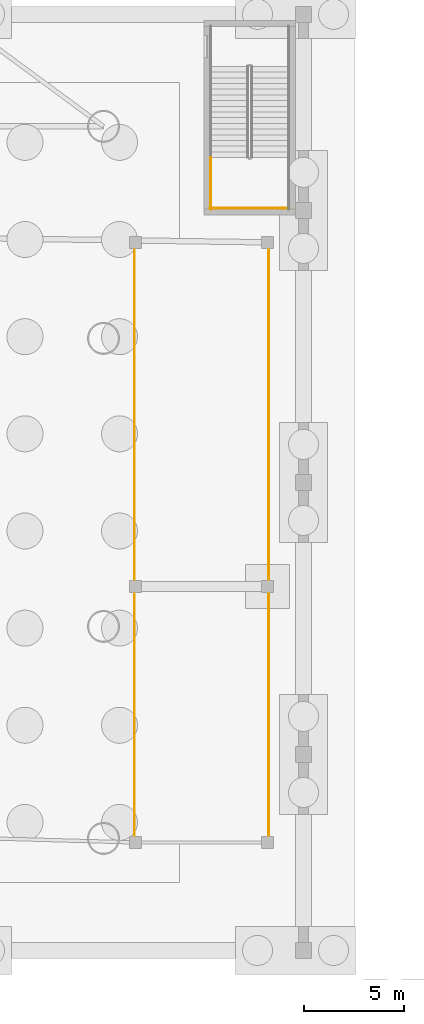
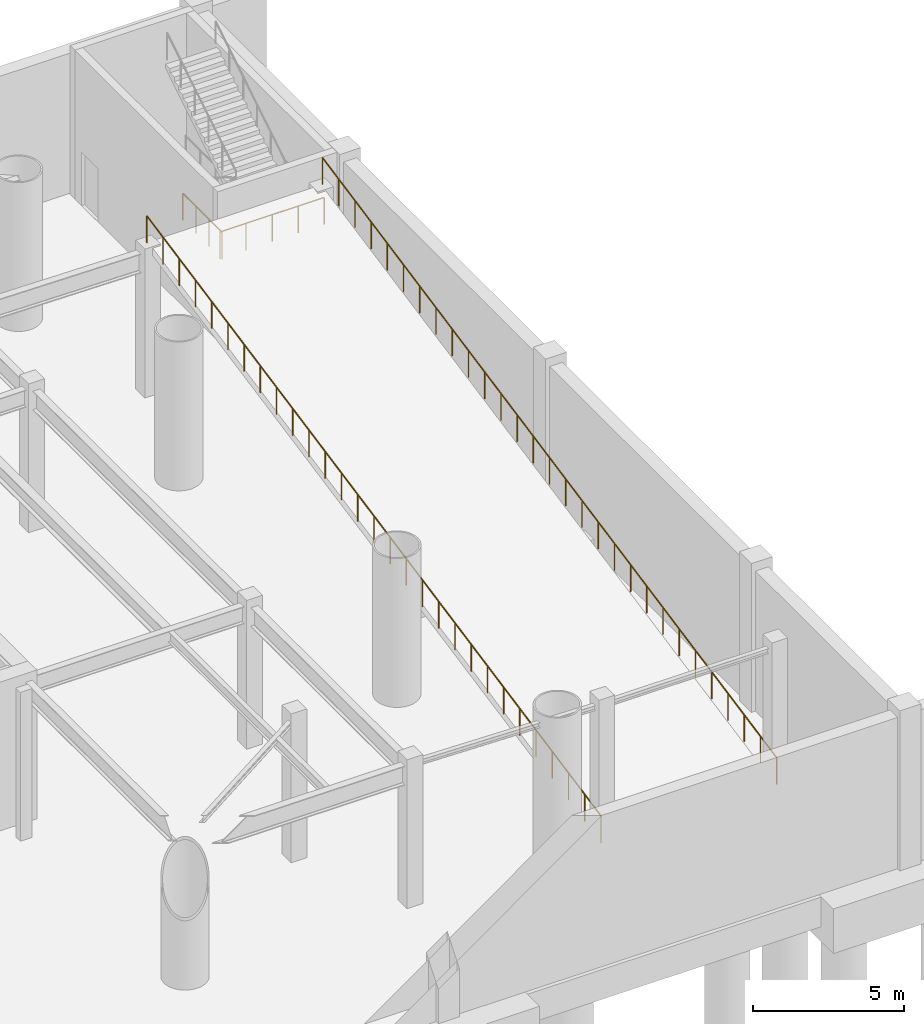
# One storey, part 10 of 12: 4 railings.
"""IFC4 building model written with IfcOpenShell, lengths in metres."""

from ifc_helpers import new_model, si_unit, direction, frame, origin, origin_2d, place, context, subcontext, project, spatial, circle, extrude, material, type_object, element, save


model = new_model("IFC4")

# Units and contexts
model_context = context("Model", 3, precision=1e-05, world=origin(), true_north=direction((0.0, 1.0)))
body_context = subcontext(model_context, "Body", "Model", "MODEL_VIEW")
ifc_project = project(units=[si_unit("LENGTHUNIT", "METRE"), si_unit("AREAUNIT", "SQUARE_METRE"), si_unit("VOLUMEUNIT", "CUBIC_METRE"), si_unit("PLANEANGLEUNIT", "RADIAN"), si_unit("MASSUNIT", "GRAM", prefix="KILO")], contexts=[model_context])

# Site, building, storey
site_placement = place(None, origin())
site = spatial("IfcSite", under=ifc_project, at=site_placement, CompositionType="ELEMENT")
building_placement = place(site_placement, origin())
building = spatial("IfcBuilding", under=site, at=building_placement, Name="Bramvorn Convention Spire", CompositionType="ELEMENT")
storey_placement = place(building_placement, frame((0.0, 0.0, -6.0)))
storey = spatial("IfcBuildingStorey", under=building, at=storey_placement, Name="B1", CompositionType="ELEMENT", Elevation=-6.0)

# Railings
ifc_material = material(Name="Painted Steel Balustrade & Guardrail", Category="steel")
railing_type = type_object("IfcRailingType", Name="RL-STAIR-GUARD-1100", PredefinedType="GUARDRAIL", material=ifc_material)
railing_1_placement = place(storey_placement, frame((68.570068359375, 42.239990234375, 3.0)))
element("IfcRailing", 1, at=railing_1_placement, inside=storey, type_object=railing_type, Name="B1 ST5 stair guard 3", PredefinedType="GUARDRAIL", context=body_context, shape_type="SweptSolid", body=[
    extrude(circle(Radius=0.02392578125, at=origin_2d()), frame((0.0, 0.0, 1.076171875), z_axis=(0.0, -1.0, 0.0), x_axis=(1.0, 0.0, 0.0)), (0.0, 0.0, 1.0), 2.590087890625),
    extrude(circle(Radius=0.02099609375, at=origin_2d()), origin(), (0.0, 0.0, 1.0), 1.052001953125),
    extrude(circle(Radius=0.02099609375, at=origin_2d()), frame((0.0, -0.86328125, 0.0)), (0.0, 0.0, 1.0), 1.052001953125),
    extrude(circle(Radius=0.02099609375, at=origin_2d()), frame((0.0, -1.726806640625, 0.0)), (0.0, 0.0, 1.0), 1.052001953125),
    extrude(circle(Radius=0.02099609375, at=origin_2d()), frame((0.0, -2.590087890625, 0.0)), (0.0, 0.0, 1.0), 1.052001953125),
])
railing_2_placement = place(storey_placement, frame((68.52001953125, 39.699951171875, 3.0)))
element("IfcRailing", 2, at=railing_2_placement, inside=storey, type_object=railing_type, Name="B1 ST5 stair guard 5", PredefinedType="GUARDRAIL", context=body_context, shape_type="SweptSolid", body=[
    extrude(circle(Radius=0.02392578125, at=origin_2d()), frame((0.0, 0.0, 1.076171875), z_axis=(1.0, 0.0, 0.0), x_axis=(0.0, 1.0, 0.0)), (0.0, 0.0, 1.0), 3.97998046875),
    extrude(circle(Radius=0.02099609375, at=origin_2d()), origin(), (0.0, 0.0, 1.0), 1.052001953125),
    extrude(circle(Radius=0.02099609375, at=origin_2d()), frame((0.9951171875, 0.0, 0.0)), (0.0, 0.0, 1.0), 1.052001953125),
    extrude(circle(Radius=0.02099609375, at=origin_2d()), frame((1.989990234375, 0.0, 0.0)), (0.0, 0.0, 1.0), 1.052001953125),
    extrude(circle(Radius=0.02099609375, at=origin_2d()), frame((2.98486328125, 0.0, 0.0)), (0.0, 0.0, 1.0), 1.052001953125),
    extrude(circle(Radius=0.02099609375, at=origin_2d()), frame((3.97998046875, 0.0, 0.0)), (0.0, 0.0, 1.0), 1.052001953125),
])
railing_3_placement = place(storey_placement, frame((64.75, 8.0, 0.0)))
element("IfcRailing", 3, at=railing_3_placement, inside=storey, type_object=railing_type, Name="Vehicle ramp west safety guardrail", PredefinedType="GUARDRAIL", context=body_context, shape_type="SweptSolid", body=[
    extrude(circle(Radius=0.02392578125, at=origin_2d()), frame((0.0, 0.0, 1.076171875), z_axis=(0.0, 0.980580675691, 0.196116135138), x_axis=(-1.0, 0.0, 0.0)), (0.0, 0.0, 1.0), 30.59423828125),
    extrude(circle(Radius=0.02099609375, at=origin_2d()), origin(), (0.0, 0.0, 1.0), 1.052001953125),
    extrude(circle(Radius=0.02099609375, at=origin_2d()), frame((0.0, 1.071533203125, 0.21435546875)), (0.0, 0.0, 1.0), 1.052001953125),
    extrude(circle(Radius=0.02099609375, at=origin_2d()), frame((0.0, 2.142822265625, 0.428466796875)), (0.0, 0.0, 1.0), 1.052001953125),
    extrude(circle(Radius=0.02099609375, at=origin_2d()), frame((0.0, 3.21435546875, 0.642822265625)), (0.0, 0.0, 1.0), 1.052001953125),
    extrude(circle(Radius=0.02099609375, at=origin_2d()), frame((0.0, 4.28564453125, 0.857177734375)), (0.0, 0.0, 1.0), 1.052001953125),
    extrude(circle(Radius=0.02099609375, at=origin_2d()), frame((0.0, 5.357177734375, 1.071533203125)), (0.0, 0.0, 1.0), 1.052001953125),
    extrude(circle(Radius=0.02099609375, at=origin_2d()), frame((0.0, 6.428466796875, 1.28564453125)), (0.0, 0.0, 1.0), 1.052001953125),
    extrude(circle(Radius=0.02099609375, at=origin_2d()), frame((0.0, 7.5, 1.5)), (0.0, 0.0, 1.0), 1.052001953125),
    extrude(circle(Radius=0.02099609375, at=origin_2d()), frame((0.0, 8.571533203125, 1.71435546875)), (0.0, 0.0, 1.0), 1.052001953125),
    extrude(circle(Radius=0.02099609375, at=origin_2d()), frame((0.0, 9.642822265625, 1.928466796875)), (0.0, 0.0, 1.0), 1.052001953125),
    extrude(circle(Radius=0.02099609375, at=origin_2d()), frame((0.0, 10.71435546875, 2.142822265625)), (0.0, 0.0, 1.0), 1.052001953125),
    extrude(circle(Radius=0.02099609375, at=origin_2d()), frame((0.0, 11.78564453125, 2.357177734375)), (0.0, 0.0, 1.0), 1.052001953125),
    extrude(circle(Radius=0.02099609375, at=origin_2d()), frame((0.0, 12.857177734375, 2.571533203125)), (0.0, 0.0, 1.0), 1.052001953125),
    extrude(circle(Radius=0.02099609375, at=origin_2d()), frame((0.0, 13.928466796875, 2.78564453125)), (0.0, 0.0, 1.0), 1.052001953125),
    extrude(circle(Radius=0.02099609375, at=origin_2d()), frame((0.0, 15.0, 3.0)), (0.0, 0.0, 1.0), 1.052001953125),
    extrude(circle(Radius=0.02099609375, at=origin_2d()), frame((0.0, 16.071533203125, 3.21435546875)), (0.0, 0.0, 1.0), 1.052001953125),
    extrude(circle(Radius=0.02099609375, at=origin_2d()), frame((0.0, 17.142822265625, 3.428466796875)), (0.0, 0.0, 1.0), 1.052001953125),
    extrude(circle(Radius=0.02099609375, at=origin_2d()), frame((0.0, 18.21435546875, 3.642822265625)), (0.0, 0.0, 1.0), 1.052001953125),
    extrude(circle(Radius=0.02099609375, at=origin_2d()), frame((0.0, 19.28564453125, 3.857177734375)), (0.0, 0.0, 1.0), 1.052001953125),
    extrude(circle(Radius=0.02099609375, at=origin_2d()), frame((0.0, 20.357177734375, 4.071533203125)), (0.0, 0.0, 1.0), 1.052001953125),
    extrude(circle(Radius=0.02099609375, at=origin_2d()), frame((0.0, 21.428466796875, 4.28564453125)), (0.0, 0.0, 1.0), 1.052001953125),
    extrude(circle(Radius=0.02099609375, at=origin_2d()), frame((0.0, 22.5, 4.5)), (0.0, 0.0, 1.0), 1.052001953125),
    extrude(circle(Radius=0.02099609375, at=origin_2d()), frame((0.0, 23.571533203125, 4.71435546875)), (0.0, 0.0, 1.0), 1.052001953125),
    extrude(circle(Radius=0.02099609375, at=origin_2d()), frame((0.0, 24.642822265625, 4.928466796875)), (0.0, 0.0, 1.0), 1.052001953125),
    extrude(circle(Radius=0.02099609375, at=origin_2d()), frame((0.0, 25.71435546875, 5.142822265625)), (0.0, 0.0, 1.0), 1.052001953125),
    extrude(circle(Radius=0.02099609375, at=origin_2d()), frame((0.0, 26.78564453125, 5.357177734375)), (0.0, 0.0, 1.0), 1.052001953125),
    extrude(circle(Radius=0.02099609375, at=origin_2d()), frame((0.0, 27.857177734375, 5.571533203125)), (0.0, 0.0, 1.0), 1.052001953125),
    extrude(circle(Radius=0.02099609375, at=origin_2d()), frame((0.0, 28.928466796875, 5.78564453125)), (0.0, 0.0, 1.0), 1.052001953125),
    extrude(circle(Radius=0.02099609375, at=origin_2d()), frame((0.0, 30.0, 6.0)), (0.0, 0.0, 1.0), 1.052001953125),
])
railing_4_placement = place(storey_placement, frame((71.449951171875, 8.0, 0.0)))
element("IfcRailing", 4, at=railing_4_placement, inside=storey, type_object=railing_type, Name="Vehicle ramp east safety guardrail", PredefinedType="GUARDRAIL", context=body_context, shape_type="SweptSolid", body=[
    extrude(circle(Radius=0.02392578125, at=origin_2d()), frame((0.0, 0.0, 1.076171875), z_axis=(0.0, 0.980580675691, 0.196116135138), x_axis=(-1.0, 0.0, 0.0)), (0.0, 0.0, 1.0), 30.59423828125),
    extrude(circle(Radius=0.02099609375, at=origin_2d()), origin(), (0.0, 0.0, 1.0), 1.052001953125),
    extrude(circle(Radius=0.02099609375, at=origin_2d()), frame((0.0, 1.071533203125, 0.21435546875)), (0.0, 0.0, 1.0), 1.052001953125),
    extrude(circle(Radius=0.02099609375, at=origin_2d()), frame((0.0, 2.142822265625, 0.428466796875)), (0.0, 0.0, 1.0), 1.052001953125),
    extrude(circle(Radius=0.02099609375, at=origin_2d()), frame((0.0, 3.21435546875, 0.642822265625)), (0.0, 0.0, 1.0), 1.052001953125),
    extrude(circle(Radius=0.02099609375, at=origin_2d()), frame((0.0, 4.28564453125, 0.857177734375)), (0.0, 0.0, 1.0), 1.052001953125),
    extrude(circle(Radius=0.02099609375, at=origin_2d()), frame((0.0, 5.357177734375, 1.071533203125)), (0.0, 0.0, 1.0), 1.052001953125),
    extrude(circle(Radius=0.02099609375, at=origin_2d()), frame((0.0, 6.428466796875, 1.28564453125)), (0.0, 0.0, 1.0), 1.052001953125),
    extrude(circle(Radius=0.02099609375, at=origin_2d()), frame((0.0, 7.5, 1.5)), (0.0, 0.0, 1.0), 1.052001953125),
    extrude(circle(Radius=0.02099609375, at=origin_2d()), frame((0.0, 8.571533203125, 1.71435546875)), (0.0, 0.0, 1.0), 1.052001953125),
    extrude(circle(Radius=0.02099609375, at=origin_2d()), frame((0.0, 9.642822265625, 1.928466796875)), (0.0, 0.0, 1.0), 1.052001953125),
    extrude(circle(Radius=0.02099609375, at=origin_2d()), frame((0.0, 10.71435546875, 2.142822265625)), (0.0, 0.0, 1.0), 1.052001953125),
    extrude(circle(Radius=0.02099609375, at=origin_2d()), frame((0.0, 11.78564453125, 2.357177734375)), (0.0, 0.0, 1.0), 1.052001953125),
    extrude(circle(Radius=0.02099609375, at=origin_2d()), frame((0.0, 12.857177734375, 2.571533203125)), (0.0, 0.0, 1.0), 1.052001953125),
    extrude(circle(Radius=0.02099609375, at=origin_2d()), frame((0.0, 13.928466796875, 2.78564453125)), (0.0, 0.0, 1.0), 1.052001953125),
    extrude(circle(Radius=0.02099609375, at=origin_2d()), frame((0.0, 15.0, 3.0)), (0.0, 0.0, 1.0), 1.052001953125),
    extrude(circle(Radius=0.02099609375, at=origin_2d()), frame((0.0, 16.071533203125, 3.21435546875)), (0.0, 0.0, 1.0), 1.052001953125),
    extrude(circle(Radius=0.02099609375, at=origin_2d()), frame((0.0, 17.142822265625, 3.428466796875)), (0.0, 0.0, 1.0), 1.052001953125),
    extrude(circle(Radius=0.02099609375, at=origin_2d()), frame((0.0, 18.21435546875, 3.642822265625)), (0.0, 0.0, 1.0), 1.052001953125),
    extrude(circle(Radius=0.02099609375, at=origin_2d()), frame((0.0, 19.28564453125, 3.857177734375)), (0.0, 0.0, 1.0), 1.052001953125),
    extrude(circle(Radius=0.02099609375, at=origin_2d()), frame((0.0, 20.357177734375, 4.071533203125)), (0.0, 0.0, 1.0), 1.052001953125),
    extrude(circle(Radius=0.02099609375, at=origin_2d()), frame((0.0, 21.428466796875, 4.28564453125)), (0.0, 0.0, 1.0), 1.052001953125),
    extrude(circle(Radius=0.02099609375, at=origin_2d()), frame((0.0, 22.5, 4.5)), (0.0, 0.0, 1.0), 1.052001953125),
    extrude(circle(Radius=0.02099609375, at=origin_2d()), frame((0.0, 23.571533203125, 4.71435546875)), (0.0, 0.0, 1.0), 1.052001953125),
    extrude(circle(Radius=0.02099609375, at=origin_2d()), frame((0.0, 24.642822265625, 4.928466796875)), (0.0, 0.0, 1.0), 1.052001953125),
    extrude(circle(Radius=0.02099609375, at=origin_2d()), frame((0.0, 25.71435546875, 5.142822265625)), (0.0, 0.0, 1.0), 1.052001953125),
    extrude(circle(Radius=0.02099609375, at=origin_2d()), frame((0.0, 26.78564453125, 5.357177734375)), (0.0, 0.0, 1.0), 1.052001953125),
    extrude(circle(Radius=0.02099609375, at=origin_2d()), frame((0.0, 27.857177734375, 5.571533203125)), (0.0, 0.0, 1.0), 1.052001953125),
    extrude(circle(Radius=0.02099609375, at=origin_2d()), frame((0.0, 28.928466796875, 5.78564453125)), (0.0, 0.0, 1.0), 1.052001953125),
    extrude(circle(Radius=0.02099609375, at=origin_2d()), frame((0.0, 30.0, 6.0)), (0.0, 0.0, 1.0), 1.052001953125),
])

save(model, "model.ifc")
